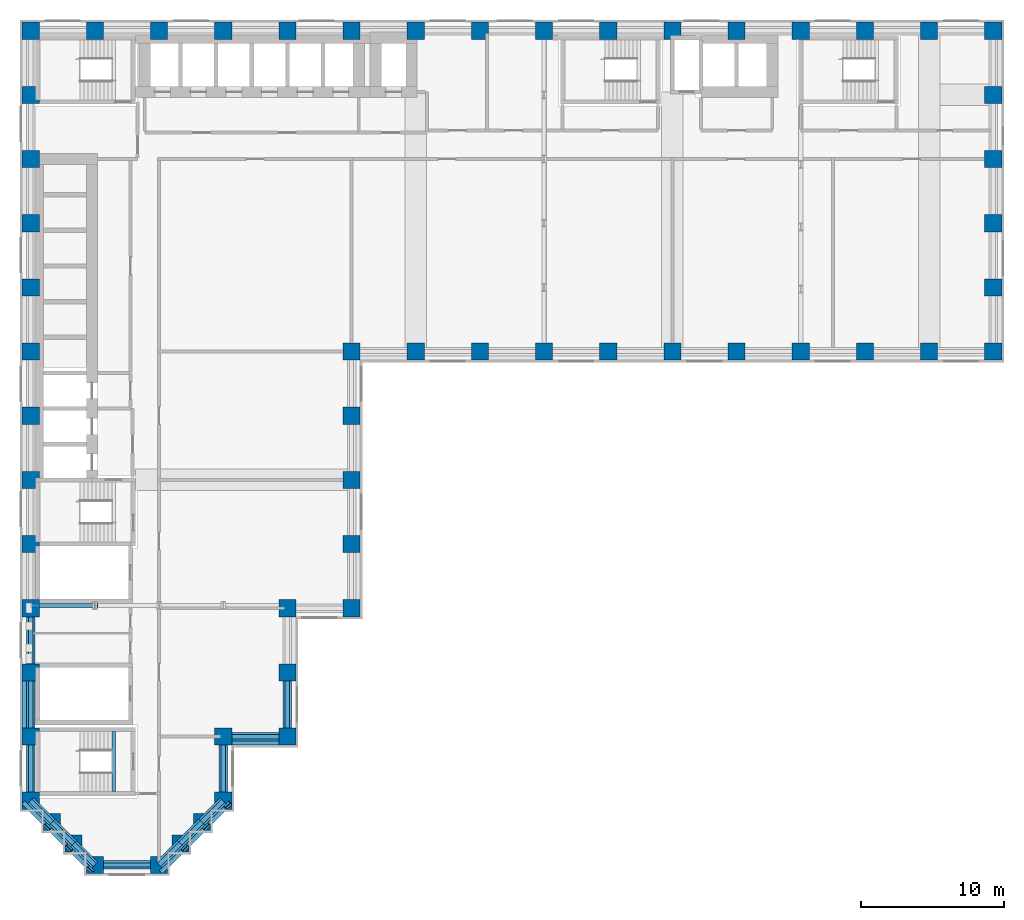
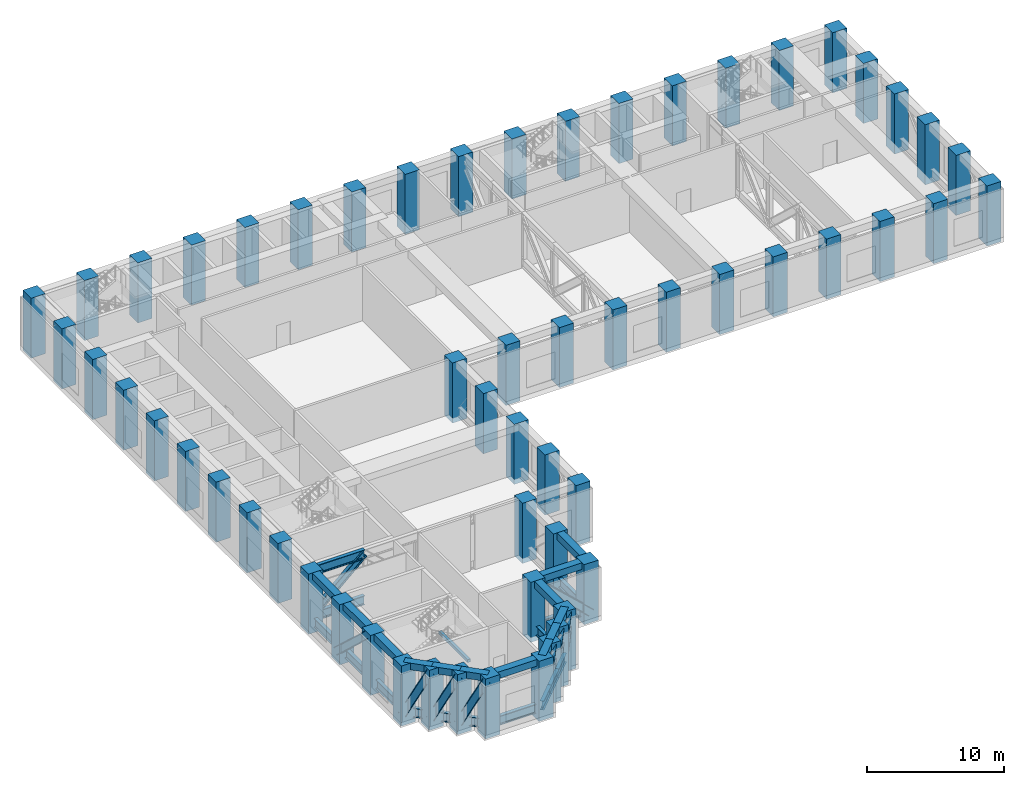
# One storey, part 1 of 13: 58 columns, 24 members, 14 beams.
"""IFC4 building model written with IfcOpenShell, lengths in metres."""

from ifc_helpers import new_model, si_unit, direction, frame, origin, origin_2d, place, context, subcontext, project, spatial, rectangle, i_section, extrude, material, material_profile, profile_set, type_object, element, save


model = new_model("IFC4")

# Units and contexts
model_context = context("Model", 3, precision=1e-05, world=origin(), true_north=direction((0.0, 1.0)))
body_context = subcontext(model_context, "Body", "Model", "MODEL_VIEW")
ifc_project = project(units=[si_unit("LENGTHUNIT", "METRE"), si_unit("AREAUNIT", "SQUARE_METRE"), si_unit("VOLUMEUNIT", "CUBIC_METRE"), si_unit("PLANEANGLEUNIT", "RADIAN"), si_unit("MASSUNIT", "GRAM", prefix="KILO")], contexts=[model_context])

# Site, building, storey
site_placement = place(None, origin())
site = spatial("IfcSite", under=ifc_project, at=site_placement, CompositionType="ELEMENT")
building_placement = place(site_placement, origin())
building = spatial("IfcBuilding", under=site, at=building_placement, Name="Firuza Court", CompositionType="ELEMENT")
storey_placement = place(building_placement, frame((0.0, 0.0, 108.199951171875)))
storey = spatial("IfcBuildingStorey", under=building, at=storey_placement, Name="L27", CompositionType="ELEMENT", Elevation=108.199951171875)

# Columns
ifc_material_1 = material(Name="Concrete C70/85", Category="concrete")
ifc_material_profile_1 = material_profile(ifc_material_1, rectangle(XDim=1.199951171875, YDim=1.199951171875, at=origin_2d()), Name="RC 1200x1200")
ifc_profile_set_1 = profile_set([ifc_material_profile_1], Name="Concrete C70/85")
column_type = type_object("IfcColumnType", Name="Tube column RC 1200x1200 C70/85", PredefinedType="COLUMN", material=ifc_profile_set_1)
for number, where, z_axis, x_axis, name in (
    (1, (4.5, 0.0, -0.449951171875), (0.0, 0.0, 1.0), (1.0, 0.0, 0.0), "Column C-2D L27"),
    (2, (9.0, 0.0, -0.449951171875), (0.0, 0.0, 1.0), (1.0, 0.0, 0.0), "Column C-3D L27"),
    (3, (3.0, 1.5, -0.449951171875), (0.0, 0.0, 1.0), (1.0, 0.0, 0.0), "Column C-SA1 L27"),
    (4, (10.5, 1.5, -0.449951171875), (0.0, 0.0, 1.0), (1.0, 0.0, 0.0), "Column C-SA2 L27"),
    (5, (1.5, 3.0, -0.449951171875), (0.0, 0.0, 1.0), (1.0, 0.0, 0.0), "Column C-SA3 L27"),
    (6, (12.0, 3.0, -0.449951171875), (0.0, 0.0, 1.0), (1.0, 0.0, 0.0), "Column C-SA4 L27"),
    (7, (0.0, 4.5, -0.449951171875), (0.0, 0.0, 1.0), (1.0, 0.0, 0.0), "Column C-1E L27"),
    (8, (13.5, 4.5, -0.449951171875), (0.0, 0.0, 1.0), (1.0, 0.0, 0.0), "Column C-4E L27"),
    (9, (0.0, 9.0, -0.449951171875), (0.0, 0.0, 1.0), (1.0, 0.0, 0.0), "Column C-1F L27"),
    (10, (13.5, 9.0, -0.449951171875), (0.0, 0.0, 1.0), (1.0, 0.0, 0.0), "Column C-4F L27"),
    (11, (18.0, 9.0, -0.449951171875), (0.0, 0.0, 1.0), (1.0, 0.0, 0.0), "Column C-5F L27"),
    (12, (0.0, 13.5, -0.449951171875), (0.0, 0.0, 1.0), (1.0, 0.0, 0.0), "Column C-1G L27"),
    (13, (18.0, 13.5, -0.449951171875), (0.0, 0.0, 1.0), (1.0, 0.0, 0.0), "Column C-5G L27"),
    (14, (0.0, 18.0, -0.449951171875), (0.0, 0.0, 1.0), (1.0, 0.0, 0.0), "Column C-1H L27"),
    (15, (18.0, 18.0, -0.449951171875), (0.0, 0.0, 1.0), (1.0, 0.0, 0.0), "Column C-5H L27"),
    (16, (22.5, 18.0, -0.449951171875), (0.0, 0.0, 1.0), (1.0, 0.0, 0.0), "Column C-6H L27"),
    (17, (0.0, 22.5, -0.449951171875), (0.0, 0.0, 1.0), (1.0, 0.0, 0.0), "Column C-1J L27"),
    (18, (22.5, 22.5, -0.449951171875), (0.0, 0.0, 1.0), (1.0, 0.0, 0.0), "Column C-6J L27"),
    (19, (0.0, 27.0, -0.449951171875), (0.0, 0.0, 1.0), (1.0, 0.0, 0.0), "Column C-1K L27"),
    (20, (22.5, 27.0, -0.449951171875), (0.0, 0.0, 1.0), (1.0, 0.0, 0.0), "Column C-6K L27"),
    (21, (0.0, 31.5, -0.449951171875), (0.0, 0.0, 1.0), (1.0, 0.0, 0.0), "Column C-1L L27"),
    (22, (22.5, 31.5, -0.449951171875), (0.0, 0.0, 1.0), (1.0, 0.0, 0.0), "Column C-6L L27"),
    (23, (0.0, 36.0, -0.449951171875), (0.0, 0.0, 1.0), (1.0, 0.0, 0.0), "Column C-1M L27"),
    (24, (22.5, 36.0, -0.449951171875), (0.0, 0.0, 1.0), (1.0, 0.0, 0.0), "Column C-6M L27"),
    (25, (27.0, 36.0, -0.449951171875), (0.0, 0.0, 1.0), (1.0, 0.0, 0.0), "Column C-7M L27"),
    (26, (31.5, 36.0, -0.449951171875), (0.0, 0.0, 1.0), (1.0, 0.0, 0.0), "Column C-8M L27"),
    (27, (36.0, 36.0, -0.449951171875), (0.0, 0.0, 1.0), (1.0, 0.0, 0.0), "Column C-9M L27"),
    (28, (40.5, 36.0, -0.449951171875), (0.0, 0.0, 1.0), (1.0, 0.0, 0.0), "Column C-10M L27"),
    (29, (45.0, 36.0, -0.449951171875), (0.0, 0.0, 1.0), (1.0, 0.0, 0.0), "Column C-11M L27"),
    (30, (49.5, 36.0, -0.449951171875), (0.0, 0.0, 1.0), (1.0, 0.0, 0.0), "Column C-12M L27"),
    (31, (54.0, 36.0, -0.449951171875), (0.0, 0.0, 1.0), (1.0, 0.0, 0.0), "Column C-13M L27"),
    (32, (58.5, 36.0, -0.449951171875), (0.0, 0.0, 1.0), (1.0, 0.0, 0.0), "Column C-14M L27"),
    (33, (63.0, 36.0, -0.449951171875), (0.0, 0.0, 1.0), (1.0, 0.0, 0.0), "Column C-15M L27"),
    (34, (67.5, 36.0, -0.449951171875), (0.0, 0.0, 1.0), (1.0, 0.0, 0.0), "Column C-16M L27"),
    (35, (0.0, 40.5, -0.449951171875), (0.0, 0.0, 1.0), (1.0, 0.0, 0.0), "Column C-1N L27"),
    (36, (67.5, 40.5, -0.449951171875), (0.0, 0.0, 1.0), (1.0, 0.0, 0.0), "Column C-16N L27"),
    (37, (0.0, 45.0, -0.449951171875), (0.0, 0.0, 1.0), (1.0, 0.0, 0.0), "Column C-1P L27"),
    (38, (67.5, 45.0, -0.449951171875), (0.0, 0.0, 1.0), (1.0, 0.0, 0.0), "Column C-16P L27"),
    (39, (0.0, 49.5, -0.449951171875), (0.0, 0.0, 1.0), (1.0, 0.0, 0.0), "Column C-1Q L27"),
    (40, (67.5, 49.5, -0.449951171875), (0.0, 0.0, 1.0), (1.0, 0.0, 0.0), "Column C-16Q L27"),
    (41, (0.0, 54.0, -0.449951171875), (0.0, 0.0, 1.0), (1.0, 0.0, 0.0), "Column C-1R L27"),
    (42, (67.5, 54.0, -0.449951171875), (0.0, 0.0, 1.0), (1.0, 0.0, 0.0), "Column C-16R L27"),
    (43, (0.0, 58.5, -0.449951171875), (0.0, 0.0, 1.0), (1.0, 0.0, 0.0), "Column C-1S L27"),
    (44, (4.5, 58.5, -0.449951171875), (0.0, 0.0, 1.0), (1.0, 0.0, 0.0), "Column C-2S L27"),
    (45, (9.0, 58.5, -0.449951171875), (0.0, 0.0, 1.0), (1.0, 0.0, 0.0), "Column C-3S L27"),
    (46, (13.5, 58.5, -0.449951171875), (0.0, 0.0, 1.0), (1.0, 0.0, 0.0), "Column C-4S L27"),
    (47, (18.0, 58.5, -0.449951171875), (0.0, 0.0, 1.0), (1.0, 0.0, 0.0), "Column C-5S L27"),
    (48, (22.5, 58.5, -0.449951171875), (0.0, 0.0, 1.0), (1.0, 0.0, 0.0), "Column C-6S L27"),
    (49, (27.0, 58.5, -0.449951171875), (0.0, 0.0, 1.0), (1.0, 0.0, 0.0), "Column C-7S L27"),
    (50, (31.5, 58.5, -0.449951171875), (0.0, 0.0, 1.0), (1.0, 0.0, 0.0), "Column C-8S L27"),
    (51, (36.0, 58.5, -0.449951171875), (0.0, 0.0, 1.0), (1.0, 0.0, 0.0), "Column C-9S L27"),
    (52, (40.5, 58.5, -0.449951171875), (0.0, 0.0, 1.0), (1.0, 0.0, 0.0), "Column C-10S L27"),
    (53, (45.0, 58.5, -0.449951171875), (0.0, 0.0, 1.0), (1.0, 0.0, 0.0), "Column C-11S L27"),
    (54, (49.5, 58.5, -0.449951171875), (0.0, 0.0, 1.0), (1.0, 0.0, 0.0), "Column C-12S L27"),
    (55, (54.0, 58.5, -0.449951171875), (0.0, 0.0, 1.0), (1.0, 0.0, 0.0), "Column C-13S L27"),
    (56, (58.5, 58.5, -0.449951171875), (0.0, 0.0, 1.0), (1.0, 0.0, 0.0), "Column C-14S L27"),
    (57, (63.0, 58.5, -0.449951171875), (0.0, 0.0, 1.0), (1.0, 0.0, 0.0), "Column C-15S L27"),
    (58, (67.5, 58.5, -0.449951171875), (0.0, 0.0, 1.0), (1.0, 0.0, 0.0), "Column C-16S L27"),
):
    element("IfcColumn", number, at=place(storey_placement, frame(where, z_axis=z_axis, x_axis=x_axis)), inside=storey, type_object=column_type, Name=name, PredefinedType="COLUMN", context=body_context, shape_type="SweptSolid", body=[
        extrude(rectangle(XDim=1.199951171875, YDim=1.199951171875, at=origin_2d()), origin(), (0.0, 0.0, 1.0), 5.35009765625),
    ])

# Members
ifc_material_2 = material(Name="Steel S460M", Category="steel")
ifc_material_profile_2 = material_profile(ifc_material_2, i_section(OverallWidth=0.302978515625, OverallDepth=0.81396484375, WebThickness=0.02099609375, FlangeThickness=0.0400390625, FilletRadius=0.030029296875, at=origin_2d()), Name="HE 800 M")
ifc_profile_set_2 = profile_set([ifc_material_profile_2], Name="Steel S460M")
member_type_1 = type_object("IfcMemberType", Name="Belt truss chord HE 800 M S460M", PredefinedType="CHORD", material=ifc_profile_set_2)
for number, where, z_axis, x_axis, name in (
    (59, (9.0, 0.0, 0.406982421875), (0.707106781187, 0.707106781187, 0.0), (-0.707106781187, 0.707106781187, 0.0), "Belt truss chord BC1 L27"),
    (60, (10.5, 1.5, 0.406982421875), (0.707106781187, 0.707106781187, 0.0), (-0.707106781187, 0.707106781187, 0.0), "Belt truss chord BC1 L27"),
    (61, (12.0, 3.0, 0.406982421875), (0.707106781187, 0.707106781187, 0.0), (-0.707106781187, 0.707106781187, 0.0), "Belt truss chord BC1 L27"),
):
    element("IfcMember", number, at=place(storey_placement, frame(where, z_axis=z_axis, x_axis=x_axis)), inside=storey, type_object=member_type_1, Name=name, PredefinedType="CHORD", context=body_context, shape_type="SweptSolid", body=[
        extrude(i_section(OverallWidth=0.302978515625, OverallDepth=0.81396484375, WebThickness=0.02099609375, FlangeThickness=0.0400390625, FilletRadius=0.030029296875, at=origin_2d()), origin(), (0.0, 0.0, 1.0), 2.121337890625),
    ])
for number, where, z_axis, x_axis, name in (
    (62, (13.5, 4.5, 0.406982421875), (0.0, 1.0, 0.0), (-1.0, 0.0, 0.0), "Belt truss chord BC1 L27"),
    (63, (13.5, 9.0, 0.406982421875), (1.0, 0.0, 0.0), (0.0, 1.0, 0.0), "Belt truss chord BC1 L27"),
    (64, (18.0, 9.0, 0.406982421875), (0.0, 1.0, 0.0), (-1.0, 0.0, 0.0), "Belt truss chord BC1 L27"),
    (65, (0.0, 18.0, 0.406982421875), (0.0, -1.0, 0.0), (1.0, 0.0, 0.0), "Belt truss chord BC1 L27"),
    (66, (0.0, 13.5, 0.406982421875), (0.0, -1.0, 0.0), (1.0, 0.0, 0.0), "Belt truss chord BC1 L27"),
    (67, (0.0, 9.0, 0.406982421875), (0.0, -1.0, 0.0), (1.0, 0.0, 0.0), "Belt truss chord BC1 L27"),
):
    element("IfcMember", number, at=place(storey_placement, frame(where, z_axis=z_axis, x_axis=x_axis)), inside=storey, type_object=member_type_1, Name=name, PredefinedType="CHORD", context=body_context, shape_type="SweptSolid", body=[
        extrude(i_section(OverallWidth=0.302978515625, OverallDepth=0.81396484375, WebThickness=0.02099609375, FlangeThickness=0.0400390625, FilletRadius=0.030029296875, at=origin_2d()), origin(), (0.0, 0.0, 1.0), 4.5),
    ])
for number, where, z_axis, x_axis, name in (
    (68, (0.0, 4.5, 0.406982421875), (0.707106781187, -0.707106781187, 0.0), (0.707106781187, 0.707106781187, 0.0), "Belt truss chord BC1 L27"),
    (69, (1.5, 3.0, 0.406982421875), (0.707106781187, -0.707106781187, 0.0), (0.707106781187, 0.707106781187, 0.0), "Belt truss chord BC1 L27"),
    (70, (3.0, 1.5, 0.406982421875), (0.707106781187, -0.707106781187, 0.0), (0.707106781187, 0.707106781187, 0.0), "Belt truss chord BC1 L27"),
):
    element("IfcMember", number, at=place(storey_placement, frame(where, z_axis=z_axis, x_axis=x_axis)), inside=storey, type_object=member_type_1, Name=name, PredefinedType="CHORD", context=body_context, shape_type="SweptSolid", body=[
        extrude(i_section(OverallWidth=0.302978515625, OverallDepth=0.81396484375, WebThickness=0.02099609375, FlangeThickness=0.0400390625, FilletRadius=0.030029296875, at=origin_2d()), origin(), (0.0, 0.0, 1.0), 2.121337890625),
    ])
for number, where, z_axis, x_axis, name in (
    (71, (4.5, 0.0, 0.406982421875), (1.0, 0.0, 0.0), (0.0, 1.0, 0.0), "Belt truss chord BC1 L27"),
    (72, (0.0, 18.198486328125, 0.406982421875), (1.0, 0.0, 0.0), (0.0, 1.0, 0.0), "Belt truss chord BC1 L27"),
    (73, (0.0, 18.198486328125, 4.4931640625), (1.0, 0.0, 0.0), (0.0, 1.0, 0.0), "Belt truss chord BC1 L27"),
):
    element("IfcMember", number, at=place(storey_placement, frame(where, z_axis=z_axis, x_axis=x_axis)), inside=storey, type_object=member_type_1, Name=name, PredefinedType="CHORD", context=body_context, shape_type="SweptSolid", body=[
        extrude(i_section(OverallWidth=0.302978515625, OverallDepth=0.81396484375, WebThickness=0.02099609375, FlangeThickness=0.0400390625, FilletRadius=0.030029296875, at=origin_2d()), origin(), (0.0, 0.0, 1.0), 4.5),
    ])
ifc_material_3 = material(Name="Steel S460M", Category="steel")
ifc_material_profile_3 = material_profile(ifc_material_3, i_section(OverallWidth=0.304931640625, OverallDepth=0.6201171875, WebThickness=0.02099609375, FlangeThickness=0.0400390625, FilletRadius=0.027099609375, at=origin_2d()), Name="HE 600 M")
ifc_profile_set_3 = profile_set([ifc_material_profile_3], Name="Steel S460M")
member_type_2 = type_object("IfcMemberType", Name="Belt truss diagonal HE 600 M S460M", PredefinedType="BRACE", material=ifc_profile_set_3)
for number, where, z_axis, x_axis, name in (
    (74, (9.318115234375, -0.318115234375, 0.406982421875), (0.319205185913, 0.319205185913, 0.892309418628), (-0.707106781187, 0.707106781187, 0.0), "Belt truss diagonal BD1 L27"),
    (75, (10.818115234375, 1.181884765625, 0.406982421875), (0.319205185913, 0.319205185913, 0.892309418628), (-0.707106781187, 0.707106781187, 0.0), "Belt truss diagonal BD1 L27"),
    (76, (12.318115234375, 2.681884765625, 0.406982421875), (0.319205185913, 0.319205185913, 0.892309418628), (-0.707106781187, 0.707106781187, 0.0), "Belt truss diagonal BD1 L27"),
):
    element("IfcMember", number, at=place(storey_placement, frame(where, z_axis=z_axis, x_axis=x_axis)), inside=storey, type_object=member_type_2, Name=name, PredefinedType="BRACE", context=body_context, shape_type="SweptSolid", body=[
        extrude(i_section(OverallWidth=0.304931640625, OverallDepth=0.6201171875, WebThickness=0.02099609375, FlangeThickness=0.0400390625, FilletRadius=0.027099609375, at=origin_2d()), origin(), (0.0, 0.0, 1.0), 4.69921875),
    ])
for number, where, z_axis, x_axis, name in (
    (77, (18.0, 8.550048828125, 0.406982421875), (-0.731613359281, 0.0, 0.681719804994), (0.0, -1.0, 0.0), "Belt truss diagonal BD1 L27"),
    (78, (-0.449951171875, 13.5, 0.406982421875), (0.0, -0.731613359281, 0.681719804994), (1.0, 0.0, 0.0), "Belt truss diagonal BD1 L27"),
):
    element("IfcMember", number, at=place(storey_placement, frame(where, z_axis=z_axis, x_axis=x_axis)), inside=storey, type_object=member_type_2, Name=name, PredefinedType="BRACE", context=body_context, shape_type="SweptSolid", body=[
        extrude(i_section(OverallWidth=0.304931640625, OverallDepth=0.6201171875, WebThickness=0.02099609375, FlangeThickness=0.0400390625, FilletRadius=0.027099609375, at=origin_2d()), origin(), (0.0, 0.0, 1.0), 6.15087890625),
    ])
for number, where, z_axis, x_axis, name in (
    (79, (-0.318115234375, 4.181884765625, 0.406982421875), (0.319205185913, -0.319205185913, 0.892309418628), (0.707106781187, 0.707106781187, 0.0), "Belt truss diagonal BD1 L27"),
    (80, (1.181884765625, 2.681884765625, 0.406982421875), (0.319205185913, -0.319205185913, 0.892309418628), (0.707106781187, 0.707106781187, 0.0), "Belt truss diagonal BD1 L27"),
    (81, (2.681884765625, 1.181884765625, 0.406982421875), (0.319205185913, -0.319205185913, 0.892309418628), (0.707106781187, 0.707106781187, 0.0), "Belt truss diagonal BD1 L27"),
):
    element("IfcMember", number, at=place(storey_placement, frame(where, z_axis=z_axis, x_axis=x_axis)), inside=storey, type_object=member_type_2, Name=name, PredefinedType="BRACE", context=body_context, shape_type="SweptSolid", body=[
        extrude(i_section(OverallWidth=0.304931640625, OverallDepth=0.6201171875, WebThickness=0.02099609375, FlangeThickness=0.0400390625, FilletRadius=0.027099609375, at=origin_2d()), origin(), (0.0, 0.0, 1.0), 4.69921875),
    ])
member_placement = place(storey_placement, frame((0.0, 18.198486328125, 0.406982421875), z_axis=(0.740327064526, 0.0, 0.672246857583), x_axis=(0.0, 1.0, 0.0)))
element("IfcMember", 82, at=member_placement, inside=storey, type_object=member_type_2, Name="Belt truss diagonal BD1 L27", PredefinedType="BRACE", context=body_context, shape_type="SweptSolid", body=[
    extrude(i_section(OverallWidth=0.304931640625, OverallDepth=0.6201171875, WebThickness=0.02099609375, FlangeThickness=0.0400390625, FilletRadius=0.027099609375, at=origin_2d()), origin(), (0.0, 0.0, 1.0), 6.078369140625),
])

# Beams
ifc_material_4 = material(Name="Concrete C40/50", Category="concrete")
ifc_material_profile_4 = material_profile(ifc_material_4, rectangle(XDim=0.25, YDim=0.25, at=origin_2d()), Name="RC 250x250")
ifc_profile_set_4 = profile_set([ifc_material_profile_4], Name="Concrete C40/50")
beam_type_1 = type_object("IfcBeamType", Name="Landing beam RC 250x250 C40/50", PredefinedType="BEAM", material=ifc_profile_set_4)
beam_1_placement = place(storey_placement, frame((5.824951171875, 5.14990234375, 2.375), z_axis=(0.0, 1.0, 0.0), x_axis=(-1.0, 0.0, 0.0)))
element("IfcBeam", 83, at=beam_1_placement, inside=storey, type_object=beam_type_1, Name="Landing beam S5 L27", PredefinedType="BEAM", context=body_context, shape_type="SweptSolid", body=[
    extrude(rectangle(XDim=0.25, YDim=0.25, at=origin_2d()), origin(), (0.0, 0.0, 1.0), 4.2001953125),
])
ifc_material_5 = material(Name="Concrete C40/50", Category="concrete")
ifc_material_profile_5 = material_profile(ifc_material_5, rectangle(XDim=0.60009765625, YDim=0.60009765625, at=origin_2d()), Name="RC 600x600")
ifc_profile_set_5 = profile_set([ifc_material_profile_5], Name="Concrete C40/50")
beam_type_2 = type_object("IfcBeamType", Name="Spandrel beam RC 600x600 C40/50", PredefinedType="BEAM", material=ifc_profile_set_5)
beam_2_placement = place(storey_placement, frame((0.0, 4.5, 4.60009765625), z_axis=(0.707106781187, -0.707106781187, 0.0), x_axis=(0.707106781187, 0.707106781187, 0.0)))
element("IfcBeam", 84, at=beam_2_placement, inside=storey, type_object=beam_type_2, Name="Spandrel beam SP11 level L28", PredefinedType="BEAM", context=body_context, shape_type="SweptSolid", body=[
    extrude(rectangle(XDim=0.60009765625, YDim=0.60009765625, at=origin_2d()), origin(), (0.0, 0.0, 1.0), 2.121337890625),
])
for number, where, z_axis, x_axis, name in (
    (85, (0.0, 9.0, 4.60009765625), (0.0, -1.0, 0.0), (1.0, 0.0, 0.0), "Spandrel beam SP11 level L28"),
    (86, (0.0, 13.5, 4.60009765625), (0.0, -1.0, 0.0), (1.0, 0.0, 0.0), "Spandrel beam SP11 level L28"),
    (87, (0.0, 18.0, 4.60009765625), (0.0, -1.0, 0.0), (1.0, 0.0, 0.0), "Spandrel beam SP11 level L28"),
):
    element("IfcBeam", number, at=place(storey_placement, frame(where, z_axis=z_axis, x_axis=x_axis)), inside=storey, type_object=beam_type_2, Name=name, PredefinedType="BEAM", context=body_context, shape_type="SweptSolid", body=[
        extrude(rectangle(XDim=0.60009765625, YDim=0.60009765625, at=origin_2d()), origin(), (0.0, 0.0, 1.0), 4.5),
    ])
for number, where, z_axis, x_axis, name in (
    (88, (1.5, 3.0, 4.60009765625), (0.707106781187, -0.707106781187, 0.0), (0.707106781187, 0.707106781187, 0.0), "Spandrel beam SP11 level L28"),
    (89, (3.0, 1.5, 4.60009765625), (0.707106781187, -0.707106781187, 0.0), (0.707106781187, 0.707106781187, 0.0), "Spandrel beam SP11 level L28"),
):
    element("IfcBeam", number, at=place(storey_placement, frame(where, z_axis=z_axis, x_axis=x_axis)), inside=storey, type_object=beam_type_2, Name=name, PredefinedType="BEAM", context=body_context, shape_type="SweptSolid", body=[
        extrude(rectangle(XDim=0.60009765625, YDim=0.60009765625, at=origin_2d()), origin(), (0.0, 0.0, 1.0), 2.121337890625),
    ])
beam_3_placement = place(storey_placement, frame((4.5, 0.0, 4.60009765625), z_axis=(1.0, 0.0, 0.0), x_axis=(0.0, 1.0, 0.0)))
element("IfcBeam", 90, at=beam_3_placement, inside=storey, type_object=beam_type_2, Name="Spandrel beam SP11 level L28", PredefinedType="BEAM", context=body_context, shape_type="SweptSolid", body=[
    extrude(rectangle(XDim=0.60009765625, YDim=0.60009765625, at=origin_2d()), origin(), (0.0, 0.0, 1.0), 4.5),
])
for number, where, z_axis, x_axis, name in (
    (91, (9.0, 0.0, 4.60009765625), (0.707106781187, 0.707106781187, 0.0), (-0.707106781187, 0.707106781187, 0.0), "Spandrel beam SP11 level L28"),
    (92, (10.5, 1.5, 4.60009765625), (0.707106781187, 0.707106781187, 0.0), (-0.707106781187, 0.707106781187, 0.0), "Spandrel beam SP11 level L28"),
    (93, (12.0, 3.0, 4.60009765625), (0.707106781187, 0.707106781187, 0.0), (-0.707106781187, 0.707106781187, 0.0), "Spandrel beam SP11 level L28"),
):
    element("IfcBeam", number, at=place(storey_placement, frame(where, z_axis=z_axis, x_axis=x_axis)), inside=storey, type_object=beam_type_2, Name=name, PredefinedType="BEAM", context=body_context, shape_type="SweptSolid", body=[
        extrude(rectangle(XDim=0.60009765625, YDim=0.60009765625, at=origin_2d()), origin(), (0.0, 0.0, 1.0), 2.121337890625),
    ])
for number, where, z_axis, x_axis, name in (
    (94, (13.5, 4.5, 4.60009765625), (0.0, 1.0, 0.0), (-1.0, 0.0, 0.0), "Spandrel beam SP11 level L28"),
    (95, (13.5, 9.0, 4.60009765625), (1.0, 0.0, 0.0), (0.0, 1.0, 0.0), "Spandrel beam SP11 level L28"),
    (96, (18.0, 9.0, 4.60009765625), (0.0, 1.0, 0.0), (-1.0, 0.0, 0.0), "Spandrel beam SP11 level L28"),
):
    element("IfcBeam", number, at=place(storey_placement, frame(where, z_axis=z_axis, x_axis=x_axis)), inside=storey, type_object=beam_type_2, Name=name, PredefinedType="BEAM", context=body_context, shape_type="SweptSolid", body=[
        extrude(rectangle(XDim=0.60009765625, YDim=0.60009765625, at=origin_2d()), origin(), (0.0, 0.0, 1.0), 4.5),
    ])

save(model, "model.ifc")
